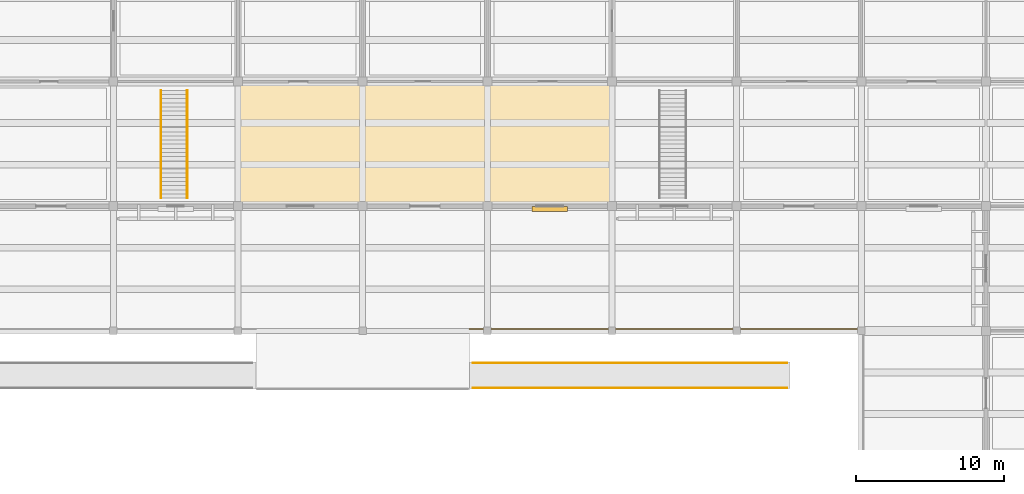
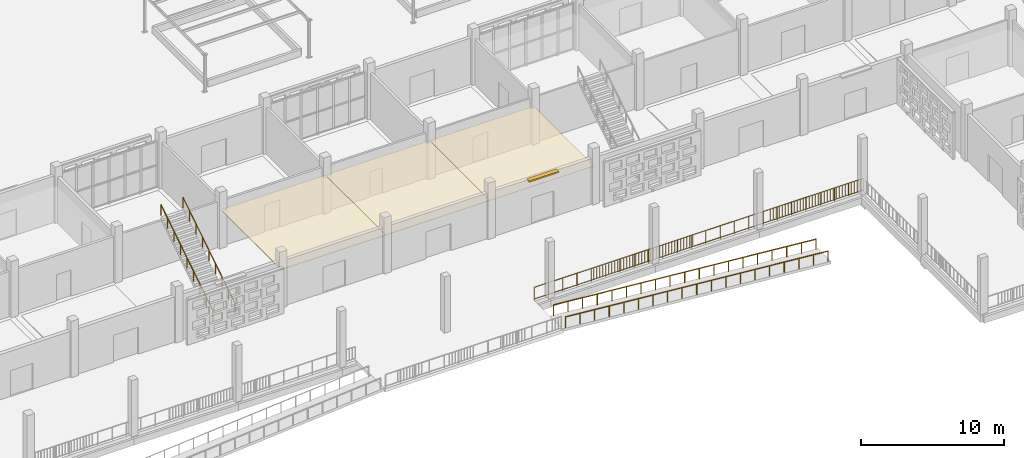
# One storey, part 92 of 129: 5 railings, 3 coverings, 1 shading device.
"""IFC4 building model written with IfcOpenShell, lengths in metres."""

from ifc_helpers import new_model, si_unit, direction, frame, origin, origin_2d, place, context, subcontext, project, spatial, rectangle, circle, extrude, material, layer, layer_set, type_object, element, save


model = new_model("IFC4")

# Units and contexts
model_context = context("Model", 3, precision=1e-05, world=origin(), true_north=direction((0.0, 1.0)))
body_context = subcontext(model_context, "Body", "Model", "MODEL_VIEW")
ifc_project = project(units=[si_unit("LENGTHUNIT", "METRE"), si_unit("AREAUNIT", "SQUARE_METRE"), si_unit("VOLUMEUNIT", "CUBIC_METRE"), si_unit("PLANEANGLEUNIT", "RADIAN"), si_unit("MASSUNIT", "GRAM", prefix="KILO")], contexts=[model_context])

# Site, building, storey
site_placement = place(None, origin())
site = spatial("IfcSite", under=ifc_project, at=site_placement, CompositionType="ELEMENT")
building_placement = place(site_placement, origin())
building = spatial("IfcBuilding", under=site, at=building_placement, Name="Varnapada Polytechnic", CompositionType="ELEMENT")
storey_placement = place(building_placement, origin())
storey = spatial("IfcBuildingStorey", under=building, at=storey_placement, Name="L00", CompositionType="ELEMENT", Elevation=0.0)

# Railings
ifc_material_1 = material(Name="Stainless steel handrail", Category="steel")
railing_type_1 = type_object("IfcRailingType", Name="Ramp Handrail HRL-01", PredefinedType="HANDRAIL", material=ifc_material_1)
railing_1_placement = place(storey_placement, frame((121.0, 14.639892578125, -1.800048828125)))
element("IfcRailing", 1, at=railing_1_placement, inside=storey, type_object=railing_type_1, Name="South square east colonnade plinth ramp handrail L", PredefinedType="HANDRAIL", context=body_context, shape_type="SweptSolid", body=[
    extrude(circle(Radius=0.02392578125, at=origin_2d()), frame((0.0, 0.0, 0.89599609375), z_axis=(-0.996397779752, 0.0, 0.084802502945), x_axis=(0.0, -1.0, 0.0)), (0.0, 0.0, 1.0), 21.226318359375),
    extrude(circle(Radius=0.02099609375, at=origin_2d()), origin(), (0.0, 0.0, 1.0), 0.871826171875),
    extrude(circle(Radius=0.02099609375, at=origin_2d()), frame((-1.175048828125, 0.0, 0.10009765625)), (0.0, 0.0, 1.0), 0.871826171875),
    extrude(circle(Radius=0.02099609375, at=origin_2d()), frame((-2.35009765625, 0.0, 0.199951171875)), (0.0, 0.0, 1.0), 0.871826171875),
    extrude(circle(Radius=0.02099609375, at=origin_2d()), frame((-3.52490234375, 0.0, 0.300048828125)), (0.0, 0.0, 1.0), 0.871826171875),
    extrude(circle(Radius=0.02099609375, at=origin_2d()), frame((-4.699951171875, 0.0, 0.39990234375)), (0.0, 0.0, 1.0), 0.871826171875),
    extrude(circle(Radius=0.02099609375, at=origin_2d()), frame((-5.875, 0.0, 0.5)), (0.0, 0.0, 1.0), 0.871826171875),
    extrude(circle(Radius=0.02099609375, at=origin_2d()), frame((-7.050048828125, 0.0, 0.60009765625)), (0.0, 0.0, 1.0), 0.871826171875),
    extrude(circle(Radius=0.02099609375, at=origin_2d()), frame((-8.224853515625, 0.0, 0.699951171875)), (0.0, 0.0, 1.0), 0.871826171875),
    extrude(circle(Radius=0.02099609375, at=origin_2d()), frame((-9.39990234375, 0.0, 0.800048828125)), (0.0, 0.0, 1.0), 0.871826171875),
    extrude(circle(Radius=0.02099609375, at=origin_2d()), frame((-10.574951171875, 0.0, 0.89990234375)), (0.0, 0.0, 1.0), 0.871826171875),
    extrude(circle(Radius=0.02099609375, at=origin_2d()), frame((-11.75, 0.0, 1.0)), (0.0, 0.0, 1.0), 0.871826171875),
    extrude(circle(Radius=0.02099609375, at=origin_2d()), frame((-12.925048828125, 0.0, 1.10009765625)), (0.0, 0.0, 1.0), 0.871826171875),
    extrude(circle(Radius=0.02099609375, at=origin_2d()), frame((-14.099853515625, 0.0, 1.199951171875)), (0.0, 0.0, 1.0), 0.871826171875),
    extrude(circle(Radius=0.02099609375, at=origin_2d()), frame((-15.27490234375, 0.0, 1.300048828125)), (0.0, 0.0, 1.0), 0.871826171875),
    extrude(circle(Radius=0.02099609375, at=origin_2d()), frame((-16.449951171875, 0.0, 1.400146484375)), (0.0, 0.0, 1.0), 0.871826171875),
    extrude(circle(Radius=0.02099609375, at=origin_2d()), frame((-17.625, 0.0, 1.5)), (0.0, 0.0, 1.0), 0.871826171875),
    extrude(circle(Radius=0.02099609375, at=origin_2d()), frame((-18.7998046875, 0.0, 1.60009765625)), (0.0, 0.0, 1.0), 0.871826171875),
    extrude(circle(Radius=0.02099609375, at=origin_2d()), frame((-19.974853515625, 0.0, 1.699951171875)), (0.0, 0.0, 1.0), 0.871826171875),
    extrude(circle(Radius=0.02099609375, at=origin_2d()), frame((-21.14990234375, 0.0, 1.800048828125)), (0.0, 0.0, 1.0), 0.871826171875),
])
railing_2_placement = place(storey_placement, frame((121.0, 12.9599609375, -1.800048828125)))
element("IfcRailing", 2, at=railing_2_placement, inside=storey, type_object=railing_type_1, Name="South square east colonnade plinth ramp handrail R", PredefinedType="HANDRAIL", context=body_context, shape_type="SweptSolid", body=[
    extrude(circle(Radius=0.02392578125, at=origin_2d()), frame((0.0, 0.0, 0.89599609375), z_axis=(-0.996397779752, 0.0, 0.084802502945), x_axis=(0.0, -1.0, 0.0)), (0.0, 0.0, 1.0), 21.226318359375),
    extrude(circle(Radius=0.02099609375, at=origin_2d()), origin(), (0.0, 0.0, 1.0), 0.871826171875),
    extrude(circle(Radius=0.02099609375, at=origin_2d()), frame((-1.175048828125, 0.0, 0.10009765625)), (0.0, 0.0, 1.0), 0.871826171875),
    extrude(circle(Radius=0.02099609375, at=origin_2d()), frame((-2.35009765625, 0.0, 0.199951171875)), (0.0, 0.0, 1.0), 0.871826171875),
    extrude(circle(Radius=0.02099609375, at=origin_2d()), frame((-3.52490234375, 0.0, 0.300048828125)), (0.0, 0.0, 1.0), 0.871826171875),
    extrude(circle(Radius=0.02099609375, at=origin_2d()), frame((-4.699951171875, 0.0, 0.39990234375)), (0.0, 0.0, 1.0), 0.871826171875),
    extrude(circle(Radius=0.02099609375, at=origin_2d()), frame((-5.875, 0.0, 0.5)), (0.0, 0.0, 1.0), 0.871826171875),
    extrude(circle(Radius=0.02099609375, at=origin_2d()), frame((-7.050048828125, 0.0, 0.60009765625)), (0.0, 0.0, 1.0), 0.871826171875),
    extrude(circle(Radius=0.02099609375, at=origin_2d()), frame((-8.224853515625, 0.0, 0.699951171875)), (0.0, 0.0, 1.0), 0.871826171875),
    extrude(circle(Radius=0.02099609375, at=origin_2d()), frame((-9.39990234375, 0.0, 0.800048828125)), (0.0, 0.0, 1.0), 0.871826171875),
    extrude(circle(Radius=0.02099609375, at=origin_2d()), frame((-10.574951171875, 0.0, 0.89990234375)), (0.0, 0.0, 1.0), 0.871826171875),
    extrude(circle(Radius=0.02099609375, at=origin_2d()), frame((-11.75, 0.0, 1.0)), (0.0, 0.0, 1.0), 0.871826171875),
    extrude(circle(Radius=0.02099609375, at=origin_2d()), frame((-12.925048828125, 0.0, 1.10009765625)), (0.0, 0.0, 1.0), 0.871826171875),
    extrude(circle(Radius=0.02099609375, at=origin_2d()), frame((-14.099853515625, 0.0, 1.199951171875)), (0.0, 0.0, 1.0), 0.871826171875),
    extrude(circle(Radius=0.02099609375, at=origin_2d()), frame((-15.27490234375, 0.0, 1.300048828125)), (0.0, 0.0, 1.0), 0.871826171875),
    extrude(circle(Radius=0.02099609375, at=origin_2d()), frame((-16.449951171875, 0.0, 1.400146484375)), (0.0, 0.0, 1.0), 0.871826171875),
    extrude(circle(Radius=0.02099609375, at=origin_2d()), frame((-17.625, 0.0, 1.5)), (0.0, 0.0, 1.0), 0.871826171875),
    extrude(circle(Radius=0.02099609375, at=origin_2d()), frame((-18.7998046875, 0.0, 1.60009765625)), (0.0, 0.0, 1.0), 0.871826171875),
    extrude(circle(Radius=0.02099609375, at=origin_2d()), frame((-19.974853515625, 0.0, 1.699951171875)), (0.0, 0.0, 1.0), 0.871826171875),
    extrude(circle(Radius=0.02099609375, at=origin_2d()), frame((-21.14990234375, 0.0, 1.800048828125)), (0.0, 0.0, 1.0), 0.871826171875),
])

# Shading device
ifc_material_2 = material(Name="Anodised aluminium", Category="aluminium")
ifc_layer_1 = layer(ifc_material_2, 0.35009765625)
ifc_layer_set_1 = layer_set([ifc_layer_1], Name="Anodised aluminium")
shading_device_type = type_object("IfcShadingDeviceType", Name="Solar Louvre LVR-01", PredefinedType="JALOUSIE", material=ifc_layer_set_1)
shading_device_placement = place(storey_placement, frame((105.0, 25.02001953125, 3.760009765625), z_axis=(0.0, 0.0, 1.0), x_axis=(-1.0, 0.0, 0.0)))
element("IfcShadingDevice", 3, at=shading_device_placement, inside=storey, type_object=shading_device_type, Name="L00 aluminium sun louvre 64", PredefinedType="JALOUSIE", context=body_context, shape_type="SweptSolid", body=[
    extrude(rectangle(XDim=2.39990234375, YDim=0.340087890625, at=origin_2d()), origin(), (0.0, 0.0, 1.0), 0.1201171875),
])

# Railings
ifc_material_3 = material(Name="Brushed Stainless Steel 316", Category="steel")
railing_type_2 = type_object("IfcRailingType", Name="Stair Wall Handrail SHR-01", PredefinedType="HANDRAIL", material=ifc_material_3)
for number, where, name in (
    (4, (78.81005859375, 25.75, 0.177734375), "L00 commons stair ST-F5 handrail L"),
    (5, (80.590087890625, 25.75, 0.177734375), "L00 commons stair ST-F5 handrail R"),
):
    element("IfcRailing", number, at=place(storey_placement, frame(where)), inside=storey, type_object=railing_type_2, Name=name, PredefinedType="HANDRAIL", context=body_context, shape_type="SweptSolid", body=[
        extrude(circle(Radius=0.02392578125, at=origin_2d()), frame((0.0, 0.0, 0.8759765625), z_axis=(0.0, 0.84320402991, 0.537593679226), x_axis=(-1.0, 0.0, 0.0)), (0.0, 0.0, 1.0), 8.59814453125),
        extrude(circle(Radius=0.02099609375, at=origin_2d()), origin(), (0.0, 0.0, 1.0), 0.851806640625),
        extrude(circle(Radius=0.02099609375, at=origin_2d()), frame((0.0, 0.90625, 0.577880859375)), (0.0, 0.0, 1.0), 0.851806640625),
        extrude(circle(Radius=0.02099609375, at=origin_2d()), frame((0.0, 1.8125, 1.155517578125)), (0.0, 0.0, 1.0), 0.851806640625),
        extrude(circle(Radius=0.02099609375, at=origin_2d()), frame((0.0, 2.71875, 1.7333984375)), (0.0, 0.0, 1.0), 0.851806640625),
        extrude(circle(Radius=0.02099609375, at=origin_2d()), frame((0.0, 3.625, 2.31103515625)), (0.0, 0.0, 1.0), 0.851806640625),
        extrude(circle(Radius=0.02099609375, at=origin_2d()), frame((0.0, 4.53125, 2.888916015625)), (0.0, 0.0, 1.0), 0.851806640625),
        extrude(circle(Radius=0.02099609375, at=origin_2d()), frame((0.0, 5.4375, 3.466796875)), (0.0, 0.0, 1.0), 0.851806640625),
        extrude(circle(Radius=0.02099609375, at=origin_2d()), frame((0.0, 6.34375, 4.04443359375)), (0.0, 0.0, 1.0), 0.851806640625),
        extrude(circle(Radius=0.02099609375, at=origin_2d()), frame((0.0, 7.25, 4.622314453125)), (0.0, 0.0, 1.0), 0.851806640625),
    ])

# Coverings
ifc_material_4 = material(Name="Perforated Timber Slatted Baffle Ceiling", Category="wood")
ifc_layer_2 = layer(ifc_material_4, 0.050048828125)
ifc_layer_set_2 = layer_set([ifc_layer_2], Name="Perforated Timber Slatted Baffle Ceiling")
covering_type_1 = type_object("IfcCoveringType", Name="Suspended Ceiling CLG-02", PredefinedType="CEILING", material=ifc_layer_set_2)
covering_1_placement = place(storey_placement, frame((96.60009765625, 29.39990234375, 3.02490234375), z_axis=(0.0, 0.0, 1.0), x_axis=(1.0, 0.0, 0.0)))
element("IfcCovering", 6, at=covering_1_placement, inside=storey, type_object=covering_type_1, Name="L00 suspended acoustic ceiling (12,4)", PredefinedType="CEILING", context=body_context, shape_type="SweptSolid", body=[
    extrude(rectangle(XDim=8.419921875, YDim=8.419921875, at=origin_2d()), origin(), (0.0, 0.0, 1.0), 0.050048828125),
])
ifc_material_5 = material(Name="Slatted Merbau Timber Acoustic Ceiling", Category="wood")
ifc_layer_3 = layer(ifc_material_5, 0.054931640625)
ifc_layer_set_3 = layer_set([ifc_layer_3], Name="Slatted Merbau Timber Acoustic Ceiling")
covering_type_2 = type_object("IfcCoveringType", Name="Suspended Ceiling CLG-05", PredefinedType="CEILING", material=ifc_layer_set_3)
covering_2_placement = place(storey_placement, frame((88.199951171875, 29.39990234375, 3.0224609375), z_axis=(0.0, 0.0, 1.0), x_axis=(1.0, 0.0, 0.0)))
element("IfcCovering", 7, at=covering_2_placement, inside=storey, type_object=covering_type_2, Name="L00 suspended acoustic ceiling (11,4)", PredefinedType="CEILING", context=body_context, shape_type="SweptSolid", body=[
    extrude(rectangle(XDim=8.419921875, YDim=8.419921875, at=origin_2d()), origin(), (0.0, 0.0, 1.0), 0.054931640625),
])
ifc_material_6 = material(Name="Cleanroom Laboratory Metal Pan Ceiling")
ifc_layer_4 = layer(ifc_material_6, 0.034912109375)
ifc_layer_set_4 = layer_set([ifc_layer_4], Name="Cleanroom Laboratory Metal Pan Ceiling")
covering_type_3 = type_object("IfcCoveringType", Name="Suspended Ceiling CLG-06", PredefinedType="CEILING", material=ifc_layer_set_4)
covering_3_placement = place(storey_placement, frame((105.0, 29.39990234375, 3.03271484375), z_axis=(0.0, 0.0, 1.0), x_axis=(1.0, 0.0, 0.0)))
element("IfcCovering", 8, at=covering_3_placement, inside=storey, type_object=covering_type_3, Name="L00 suspended acoustic ceiling (13,4)", PredefinedType="CEILING", context=body_context, shape_type="SweptSolid", body=[
    extrude(rectangle(XDim=8.419921875, YDim=8.419921875, at=origin_2d()), origin(), (0.0, 0.0, 1.0), 0.034912109375),
])

# Railing
ifc_material_7 = material(Name="Painted galvanized steel", Category="steel")
railing_type_3 = type_object("IfcRailingType", Name="Terrace Guard Rail GRD-01", PredefinedType="BALUSTRADE", material=ifc_material_7)
railing_3_placement = place(storey_placement, frame((99.60009765625, 16.919921875, 0.0)))
element("IfcRailing", 9, at=railing_3_placement, inside=storey, type_object=railing_type_3, Name="L00 civic square colonnade edge guard GRD-SQ-NE", PredefinedType="BALUSTRADE", context=body_context, shape_type="SweptSolid", body=[
    extrude(circle(Radius=0.02392578125, at=origin_2d()), frame((0.0, 0.0, 1.09619140625), z_axis=(1.0, 0.0, 0.0), x_axis=(0.0, 1.0, 0.0)), (0.0, 0.0, 1.0), 26.52001953125),
    extrude(circle(Radius=0.02392578125, at=origin_2d()), frame((0.0, 0.0, 0.10009765625), z_axis=(1.0, 0.0, 0.0), x_axis=(0.0, 1.0, 0.0)), (0.0, 0.0, 1.0), 26.52001953125),
    extrude(circle(Radius=0.02099609375, at=origin_2d()), origin(), (0.0, 0.0, 1.0), 1.072021484375),
    extrude(circle(Radius=0.02099609375, at=origin_2d()), frame((1.153076171875, 0.0, 0.0)), (0.0, 0.0, 1.0), 1.072021484375),
    extrude(circle(Radius=0.02099609375, at=origin_2d()), frame((2.30615234375, 0.0, 0.0)), (0.0, 0.0, 1.0), 1.072021484375),
    extrude(circle(Radius=0.02099609375, at=origin_2d()), frame((3.459228515625, 0.0, 0.0)), (0.0, 0.0, 1.0), 1.072021484375),
    extrude(circle(Radius=0.02099609375, at=origin_2d()), frame((4.612060546875, 0.0, 0.0)), (0.0, 0.0, 1.0), 1.072021484375),
    extrude(circle(Radius=0.02099609375, at=origin_2d()), frame((5.76513671875, 0.0, 0.0)), (0.0, 0.0, 1.0), 1.072021484375),
    extrude(circle(Radius=0.02099609375, at=origin_2d()), frame((6.918212890625, 0.0, 0.0)), (0.0, 0.0, 1.0), 1.072021484375),
    extrude(circle(Radius=0.02099609375, at=origin_2d()), frame((8.0712890625, 0.0, 0.0)), (0.0, 0.0, 1.0), 1.072021484375),
    extrude(circle(Radius=0.02099609375, at=origin_2d()), frame((9.224365234375, 0.0, 0.0)), (0.0, 0.0, 1.0), 1.072021484375),
    extrude(circle(Radius=0.02099609375, at=origin_2d()), frame((10.37744140625, 0.0, 0.0)), (0.0, 0.0, 1.0), 1.072021484375),
    extrude(circle(Radius=0.02099609375, at=origin_2d()), frame((11.530517578125, 0.0, 0.0)), (0.0, 0.0, 1.0), 1.072021484375),
    extrude(circle(Radius=0.02099609375, at=origin_2d()), frame((12.68359375, 0.0, 0.0)), (0.0, 0.0, 1.0), 1.072021484375),
    extrude(circle(Radius=0.02099609375, at=origin_2d()), frame((13.83642578125, 0.0, 0.0)), (0.0, 0.0, 1.0), 1.072021484375),
    extrude(circle(Radius=0.02099609375, at=origin_2d()), frame((14.989501953125, 0.0, 0.0)), (0.0, 0.0, 1.0), 1.072021484375),
    extrude(circle(Radius=0.02099609375, at=origin_2d()), frame((16.142578125, 0.0, 0.0)), (0.0, 0.0, 1.0), 1.072021484375),
    extrude(circle(Radius=0.02099609375, at=origin_2d()), frame((17.295654296875, 0.0, 0.0)), (0.0, 0.0, 1.0), 1.072021484375),
    extrude(circle(Radius=0.02099609375, at=origin_2d()), frame((18.44873046875, 0.0, 0.0)), (0.0, 0.0, 1.0), 1.072021484375),
    extrude(circle(Radius=0.02099609375, at=origin_2d()), frame((19.601806640625, 0.0, 0.0)), (0.0, 0.0, 1.0), 1.072021484375),
    extrude(circle(Radius=0.02099609375, at=origin_2d()), frame((20.7548828125, 0.0, 0.0)), (0.0, 0.0, 1.0), 1.072021484375),
    extrude(circle(Radius=0.02099609375, at=origin_2d()), frame((21.907958984375, 0.0, 0.0)), (0.0, 0.0, 1.0), 1.072021484375),
    extrude(circle(Radius=0.02099609375, at=origin_2d()), frame((23.060791015625, 0.0, 0.0)), (0.0, 0.0, 1.0), 1.072021484375),
    extrude(circle(Radius=0.02099609375, at=origin_2d()), frame((24.2138671875, 0.0, 0.0)), (0.0, 0.0, 1.0), 1.072021484375),
    extrude(circle(Radius=0.02099609375, at=origin_2d()), frame((25.366943359375, 0.0, 0.0)), (0.0, 0.0, 1.0), 1.072021484375),
    extrude(circle(Radius=0.02099609375, at=origin_2d()), frame((26.52001953125, 0.0, 0.0)), (0.0, 0.0, 1.0), 1.072021484375),
    extrude(circle(Radius=0.010009765625, at=origin_2d()), frame((0.2412109375, 0.0, 0.10009765625)), (0.0, 0.0, 1.0), 0.971923828125),
    extrude(circle(Radius=0.010009765625, at=origin_2d()), frame((0.482177734375, 0.0, 0.10009765625)), (0.0, 0.0, 1.0), 0.971923828125),
    extrude(circle(Radius=0.010009765625, at=origin_2d()), frame((0.723388671875, 0.0, 0.10009765625)), (0.0, 0.0, 1.0), 0.971923828125),
    extrude(circle(Radius=0.010009765625, at=origin_2d()), frame((0.96435546875, 0.0, 0.10009765625)), (0.0, 0.0, 1.0), 0.971923828125),
    extrude(circle(Radius=0.010009765625, at=origin_2d()), frame((1.20556640625, 0.0, 0.10009765625)), (0.0, 0.0, 1.0), 0.971923828125),
    extrude(circle(Radius=0.010009765625, at=origin_2d()), frame((1.446533203125, 0.0, 0.10009765625)), (0.0, 0.0, 1.0), 0.971923828125),
    extrude(circle(Radius=0.010009765625, at=origin_2d()), frame((1.687744140625, 0.0, 0.10009765625)), (0.0, 0.0, 1.0), 0.971923828125),
    extrude(circle(Radius=0.010009765625, at=origin_2d()), frame((1.9287109375, 0.0, 0.10009765625)), (0.0, 0.0, 1.0), 0.971923828125),
    extrude(circle(Radius=0.010009765625, at=origin_2d()), frame((2.169921875, 0.0, 0.10009765625)), (0.0, 0.0, 1.0), 0.971923828125),
    extrude(circle(Radius=0.010009765625, at=origin_2d()), frame((2.410888671875, 0.0, 0.10009765625)), (0.0, 0.0, 1.0), 0.971923828125),
    extrude(circle(Radius=0.010009765625, at=origin_2d()), frame((2.652099609375, 0.0, 0.10009765625)), (0.0, 0.0, 1.0), 0.971923828125),
    extrude(circle(Radius=0.010009765625, at=origin_2d()), frame((2.89306640625, 0.0, 0.10009765625)), (0.0, 0.0, 1.0), 0.971923828125),
    extrude(circle(Radius=0.010009765625, at=origin_2d()), frame((3.13427734375, 0.0, 0.10009765625)), (0.0, 0.0, 1.0), 0.971923828125),
    extrude(circle(Radius=0.010009765625, at=origin_2d()), frame((3.375244140625, 0.0, 0.10009765625)), (0.0, 0.0, 1.0), 0.971923828125),
    extrude(circle(Radius=0.010009765625, at=origin_2d()), frame((3.616455078125, 0.0, 0.10009765625)), (0.0, 0.0, 1.0), 0.971923828125),
    extrude(circle(Radius=0.010009765625, at=origin_2d()), frame((3.857421875, 0.0, 0.10009765625)), (0.0, 0.0, 1.0), 0.971923828125),
    extrude(circle(Radius=0.010009765625, at=origin_2d()), frame((4.0986328125, 0.0, 0.10009765625)), (0.0, 0.0, 1.0), 0.971923828125),
    extrude(circle(Radius=0.010009765625, at=origin_2d()), frame((4.339599609375, 0.0, 0.10009765625)), (0.0, 0.0, 1.0), 0.971923828125),
    extrude(circle(Radius=0.010009765625, at=origin_2d()), frame((4.580810546875, 0.0, 0.10009765625)), (0.0, 0.0, 1.0), 0.971923828125),
    extrude(circle(Radius=0.010009765625, at=origin_2d()), frame((4.82177734375, 0.0, 0.10009765625)), (0.0, 0.0, 1.0), 0.971923828125),
    extrude(circle(Radius=0.010009765625, at=origin_2d()), frame((5.06298828125, 0.0, 0.10009765625)), (0.0, 0.0, 1.0), 0.971923828125),
    extrude(circle(Radius=0.010009765625, at=origin_2d()), frame((5.303955078125, 0.0, 0.10009765625)), (0.0, 0.0, 1.0), 0.971923828125),
    extrude(circle(Radius=0.010009765625, at=origin_2d()), frame((5.545166015625, 0.0, 0.10009765625)), (0.0, 0.0, 1.0), 0.971923828125),
    extrude(circle(Radius=0.010009765625, at=origin_2d()), frame((5.7861328125, 0.0, 0.10009765625)), (0.0, 0.0, 1.0), 0.971923828125),
    extrude(circle(Radius=0.010009765625, at=origin_2d()), frame((6.02734375, 0.0, 0.10009765625)), (0.0, 0.0, 1.0), 0.971923828125),
    extrude(circle(Radius=0.010009765625, at=origin_2d()), frame((6.268310546875, 0.0, 0.10009765625)), (0.0, 0.0, 1.0), 0.971923828125),
    extrude(circle(Radius=0.010009765625, at=origin_2d()), frame((6.509521484375, 0.0, 0.10009765625)), (0.0, 0.0, 1.0), 0.971923828125),
    extrude(circle(Radius=0.010009765625, at=origin_2d()), frame((6.75048828125, 0.0, 0.10009765625)), (0.0, 0.0, 1.0), 0.971923828125),
    extrude(circle(Radius=0.010009765625, at=origin_2d()), frame((6.99169921875, 0.0, 0.10009765625)), (0.0, 0.0, 1.0), 0.971923828125),
    extrude(circle(Radius=0.010009765625, at=origin_2d()), frame((7.232666015625, 0.0, 0.10009765625)), (0.0, 0.0, 1.0), 0.971923828125),
    extrude(circle(Radius=0.010009765625, at=origin_2d()), frame((7.473876953125, 0.0, 0.10009765625)), (0.0, 0.0, 1.0), 0.971923828125),
    extrude(circle(Radius=0.010009765625, at=origin_2d()), frame((7.71484375, 0.0, 0.10009765625)), (0.0, 0.0, 1.0), 0.971923828125),
    extrude(circle(Radius=0.010009765625, at=origin_2d()), frame((7.9560546875, 0.0, 0.10009765625)), (0.0, 0.0, 1.0), 0.971923828125),
    extrude(circle(Radius=0.010009765625, at=origin_2d()), frame((8.197021484375, 0.0, 0.10009765625)), (0.0, 0.0, 1.0), 0.971923828125),
    extrude(circle(Radius=0.010009765625, at=origin_2d()), frame((8.438232421875, 0.0, 0.10009765625)), (0.0, 0.0, 1.0), 0.971923828125),
    extrude(circle(Radius=0.010009765625, at=origin_2d()), frame((8.67919921875, 0.0, 0.10009765625)), (0.0, 0.0, 1.0), 0.971923828125),
    extrude(circle(Radius=0.010009765625, at=origin_2d()), frame((8.92041015625, 0.0, 0.10009765625)), (0.0, 0.0, 1.0), 0.971923828125),
    extrude(circle(Radius=0.010009765625, at=origin_2d()), frame((9.161376953125, 0.0, 0.10009765625)), (0.0, 0.0, 1.0), 0.971923828125),
    extrude(circle(Radius=0.010009765625, at=origin_2d()), frame((9.402587890625, 0.0, 0.10009765625)), (0.0, 0.0, 1.0), 0.971923828125),
    extrude(circle(Radius=0.010009765625, at=origin_2d()), frame((9.6435546875, 0.0, 0.10009765625)), (0.0, 0.0, 1.0), 0.971923828125),
    extrude(circle(Radius=0.010009765625, at=origin_2d()), frame((9.884765625, 0.0, 0.10009765625)), (0.0, 0.0, 1.0), 0.971923828125),
    extrude(circle(Radius=0.010009765625, at=origin_2d()), frame((10.125732421875, 0.0, 0.10009765625)), (0.0, 0.0, 1.0), 0.971923828125),
    extrude(circle(Radius=0.010009765625, at=origin_2d()), frame((10.366943359375, 0.0, 0.10009765625)), (0.0, 0.0, 1.0), 0.971923828125),
    extrude(circle(Radius=0.010009765625, at=origin_2d()), frame((10.60791015625, 0.0, 0.10009765625)), (0.0, 0.0, 1.0), 0.971923828125),
    extrude(circle(Radius=0.010009765625, at=origin_2d()), frame((10.84912109375, 0.0, 0.10009765625)), (0.0, 0.0, 1.0), 0.971923828125),
    extrude(circle(Radius=0.010009765625, at=origin_2d()), frame((11.090087890625, 0.0, 0.10009765625)), (0.0, 0.0, 1.0), 0.971923828125),
    extrude(circle(Radius=0.010009765625, at=origin_2d()), frame((11.331298828125, 0.0, 0.10009765625)), (0.0, 0.0, 1.0), 0.971923828125),
    extrude(circle(Radius=0.010009765625, at=origin_2d()), frame((11.572265625, 0.0, 0.10009765625)), (0.0, 0.0, 1.0), 0.971923828125),
    extrude(circle(Radius=0.010009765625, at=origin_2d()), frame((11.8134765625, 0.0, 0.10009765625)), (0.0, 0.0, 1.0), 0.971923828125),
    extrude(circle(Radius=0.010009765625, at=origin_2d()), frame((12.054443359375, 0.0, 0.10009765625)), (0.0, 0.0, 1.0), 0.971923828125),
    extrude(circle(Radius=0.010009765625, at=origin_2d()), frame((12.295654296875, 0.0, 0.10009765625)), (0.0, 0.0, 1.0), 0.971923828125),
    extrude(circle(Radius=0.010009765625, at=origin_2d()), frame((12.53662109375, 0.0, 0.10009765625)), (0.0, 0.0, 1.0), 0.971923828125),
    extrude(circle(Radius=0.010009765625, at=origin_2d()), frame((12.77783203125, 0.0, 0.10009765625)), (0.0, 0.0, 1.0), 0.971923828125),
    extrude(circle(Radius=0.010009765625, at=origin_2d()), frame((13.018798828125, 0.0, 0.10009765625)), (0.0, 0.0, 1.0), 0.971923828125),
    extrude(circle(Radius=0.010009765625, at=origin_2d()), frame((13.260009765625, 0.0, 0.10009765625)), (0.0, 0.0, 1.0), 0.971923828125),
    extrude(circle(Radius=0.010009765625, at=origin_2d()), frame((13.501220703125, 0.0, 0.10009765625)), (0.0, 0.0, 1.0), 0.971923828125),
    extrude(circle(Radius=0.010009765625, at=origin_2d()), frame((13.7421875, 0.0, 0.10009765625)), (0.0, 0.0, 1.0), 0.971923828125),
    extrude(circle(Radius=0.010009765625, at=origin_2d()), frame((13.9833984375, 0.0, 0.10009765625)), (0.0, 0.0, 1.0), 0.971923828125),
    extrude(circle(Radius=0.010009765625, at=origin_2d()), frame((14.224365234375, 0.0, 0.10009765625)), (0.0, 0.0, 1.0), 0.971923828125),
    extrude(circle(Radius=0.010009765625, at=origin_2d()), frame((14.465576171875, 0.0, 0.10009765625)), (0.0, 0.0, 1.0), 0.971923828125),
    extrude(circle(Radius=0.010009765625, at=origin_2d()), frame((14.70654296875, 0.0, 0.10009765625)), (0.0, 0.0, 1.0), 0.971923828125),
    extrude(circle(Radius=0.010009765625, at=origin_2d()), frame((14.94775390625, 0.0, 0.10009765625)), (0.0, 0.0, 1.0), 0.971923828125),
    extrude(circle(Radius=0.010009765625, at=origin_2d()), frame((15.188720703125, 0.0, 0.10009765625)), (0.0, 0.0, 1.0), 0.971923828125),
    extrude(circle(Radius=0.010009765625, at=origin_2d()), frame((15.429931640625, 0.0, 0.10009765625)), (0.0, 0.0, 1.0), 0.971923828125),
    extrude(circle(Radius=0.010009765625, at=origin_2d()), frame((15.6708984375, 0.0, 0.10009765625)), (0.0, 0.0, 1.0), 0.971923828125),
    extrude(circle(Radius=0.010009765625, at=origin_2d()), frame((15.912109375, 0.0, 0.10009765625)), (0.0, 0.0, 1.0), 0.971923828125),
    extrude(circle(Radius=0.010009765625, at=origin_2d()), frame((16.153076171875, 0.0, 0.10009765625)), (0.0, 0.0, 1.0), 0.971923828125),
    extrude(circle(Radius=0.010009765625, at=origin_2d()), frame((16.394287109375, 0.0, 0.10009765625)), (0.0, 0.0, 1.0), 0.971923828125),
    extrude(circle(Radius=0.010009765625, at=origin_2d()), frame((16.63525390625, 0.0, 0.10009765625)), (0.0, 0.0, 1.0), 0.971923828125),
    extrude(circle(Radius=0.010009765625, at=origin_2d()), frame((16.87646484375, 0.0, 0.10009765625)), (0.0, 0.0, 1.0), 0.971923828125),
    extrude(circle(Radius=0.010009765625, at=origin_2d()), frame((17.117431640625, 0.0, 0.10009765625)), (0.0, 0.0, 1.0), 0.971923828125),
    extrude(circle(Radius=0.010009765625, at=origin_2d()), frame((17.358642578125, 0.0, 0.10009765625)), (0.0, 0.0, 1.0), 0.971923828125),
    extrude(circle(Radius=0.010009765625, at=origin_2d()), frame((17.599609375, 0.0, 0.10009765625)), (0.0, 0.0, 1.0), 0.971923828125),
    extrude(circle(Radius=0.010009765625, at=origin_2d()), frame((17.8408203125, 0.0, 0.10009765625)), (0.0, 0.0, 1.0), 0.971923828125),
    extrude(circle(Radius=0.010009765625, at=origin_2d()), frame((18.081787109375, 0.0, 0.10009765625)), (0.0, 0.0, 1.0), 0.971923828125),
    extrude(circle(Radius=0.010009765625, at=origin_2d()), frame((18.322998046875, 0.0, 0.10009765625)), (0.0, 0.0, 1.0), 0.971923828125),
    extrude(circle(Radius=0.010009765625, at=origin_2d()), frame((18.56396484375, 0.0, 0.10009765625)), (0.0, 0.0, 1.0), 0.971923828125),
    extrude(circle(Radius=0.010009765625, at=origin_2d()), frame((18.80517578125, 0.0, 0.10009765625)), (0.0, 0.0, 1.0), 0.971923828125),
    extrude(circle(Radius=0.010009765625, at=origin_2d()), frame((19.046142578125, 0.0, 0.10009765625)), (0.0, 0.0, 1.0), 0.971923828125),
    extrude(circle(Radius=0.010009765625, at=origin_2d()), frame((19.287353515625, 0.0, 0.10009765625)), (0.0, 0.0, 1.0), 0.971923828125),
    extrude(circle(Radius=0.010009765625, at=origin_2d()), frame((19.5283203125, 0.0, 0.10009765625)), (0.0, 0.0, 1.0), 0.971923828125),
    extrude(circle(Radius=0.010009765625, at=origin_2d()), frame((19.76953125, 0.0, 0.10009765625)), (0.0, 0.0, 1.0), 0.971923828125),
    extrude(circle(Radius=0.010009765625, at=origin_2d()), frame((20.010498046875, 0.0, 0.10009765625)), (0.0, 0.0, 1.0), 0.971923828125),
    extrude(circle(Radius=0.010009765625, at=origin_2d()), frame((20.251708984375, 0.0, 0.10009765625)), (0.0, 0.0, 1.0), 0.971923828125),
    extrude(circle(Radius=0.010009765625, at=origin_2d()), frame((20.49267578125, 0.0, 0.10009765625)), (0.0, 0.0, 1.0), 0.971923828125),
    extrude(circle(Radius=0.010009765625, at=origin_2d()), frame((20.73388671875, 0.0, 0.10009765625)), (0.0, 0.0, 1.0), 0.971923828125),
    extrude(circle(Radius=0.010009765625, at=origin_2d()), frame((20.974853515625, 0.0, 0.10009765625)), (0.0, 0.0, 1.0), 0.971923828125),
    extrude(circle(Radius=0.010009765625, at=origin_2d()), frame((21.216064453125, 0.0, 0.10009765625)), (0.0, 0.0, 1.0), 0.971923828125),
    extrude(circle(Radius=0.010009765625, at=origin_2d()), frame((21.45703125, 0.0, 0.10009765625)), (0.0, 0.0, 1.0), 0.971923828125),
    extrude(circle(Radius=0.010009765625, at=origin_2d()), frame((21.6982421875, 0.0, 0.10009765625)), (0.0, 0.0, 1.0), 0.971923828125),
    extrude(circle(Radius=0.010009765625, at=origin_2d()), frame((21.939208984375, 0.0, 0.10009765625)), (0.0, 0.0, 1.0), 0.971923828125),
    extrude(circle(Radius=0.010009765625, at=origin_2d()), frame((22.180419921875, 0.0, 0.10009765625)), (0.0, 0.0, 1.0), 0.971923828125),
    extrude(circle(Radius=0.010009765625, at=origin_2d()), frame((22.42138671875, 0.0, 0.10009765625)), (0.0, 0.0, 1.0), 0.971923828125),
    extrude(circle(Radius=0.010009765625, at=origin_2d()), frame((22.66259765625, 0.0, 0.10009765625)), (0.0, 0.0, 1.0), 0.971923828125),
    extrude(circle(Radius=0.010009765625, at=origin_2d()), frame((22.903564453125, 0.0, 0.10009765625)), (0.0, 0.0, 1.0), 0.971923828125),
    extrude(circle(Radius=0.010009765625, at=origin_2d()), frame((23.144775390625, 0.0, 0.10009765625)), (0.0, 0.0, 1.0), 0.971923828125),
    extrude(circle(Radius=0.010009765625, at=origin_2d()), frame((23.3857421875, 0.0, 0.10009765625)), (0.0, 0.0, 1.0), 0.971923828125),
    extrude(circle(Radius=0.010009765625, at=origin_2d()), frame((23.626953125, 0.0, 0.10009765625)), (0.0, 0.0, 1.0), 0.971923828125),
    extrude(circle(Radius=0.010009765625, at=origin_2d()), frame((23.867919921875, 0.0, 0.10009765625)), (0.0, 0.0, 1.0), 0.971923828125),
    extrude(circle(Radius=0.010009765625, at=origin_2d()), frame((24.109130859375, 0.0, 0.10009765625)), (0.0, 0.0, 1.0), 0.971923828125),
    extrude(circle(Radius=0.010009765625, at=origin_2d()), frame((24.35009765625, 0.0, 0.10009765625)), (0.0, 0.0, 1.0), 0.971923828125),
    extrude(circle(Radius=0.010009765625, at=origin_2d()), frame((24.59130859375, 0.0, 0.10009765625)), (0.0, 0.0, 1.0), 0.971923828125),
    extrude(circle(Radius=0.010009765625, at=origin_2d()), frame((24.832275390625, 0.0, 0.10009765625)), (0.0, 0.0, 1.0), 0.971923828125),
    extrude(circle(Radius=0.010009765625, at=origin_2d()), frame((25.073486328125, 0.0, 0.10009765625)), (0.0, 0.0, 1.0), 0.971923828125),
    extrude(circle(Radius=0.010009765625, at=origin_2d()), frame((25.314453125, 0.0, 0.10009765625)), (0.0, 0.0, 1.0), 0.971923828125),
    extrude(circle(Radius=0.010009765625, at=origin_2d()), frame((25.5556640625, 0.0, 0.10009765625)), (0.0, 0.0, 1.0), 0.971923828125),
    extrude(circle(Radius=0.010009765625, at=origin_2d()), frame((25.796630859375, 0.0, 0.10009765625)), (0.0, 0.0, 1.0), 0.971923828125),
    extrude(circle(Radius=0.010009765625, at=origin_2d()), frame((26.037841796875, 0.0, 0.10009765625)), (0.0, 0.0, 1.0), 0.971923828125),
    extrude(circle(Radius=0.010009765625, at=origin_2d()), frame((26.27880859375, 0.0, 0.10009765625)), (0.0, 0.0, 1.0), 0.971923828125),
])

save(model, "model.ifc")
